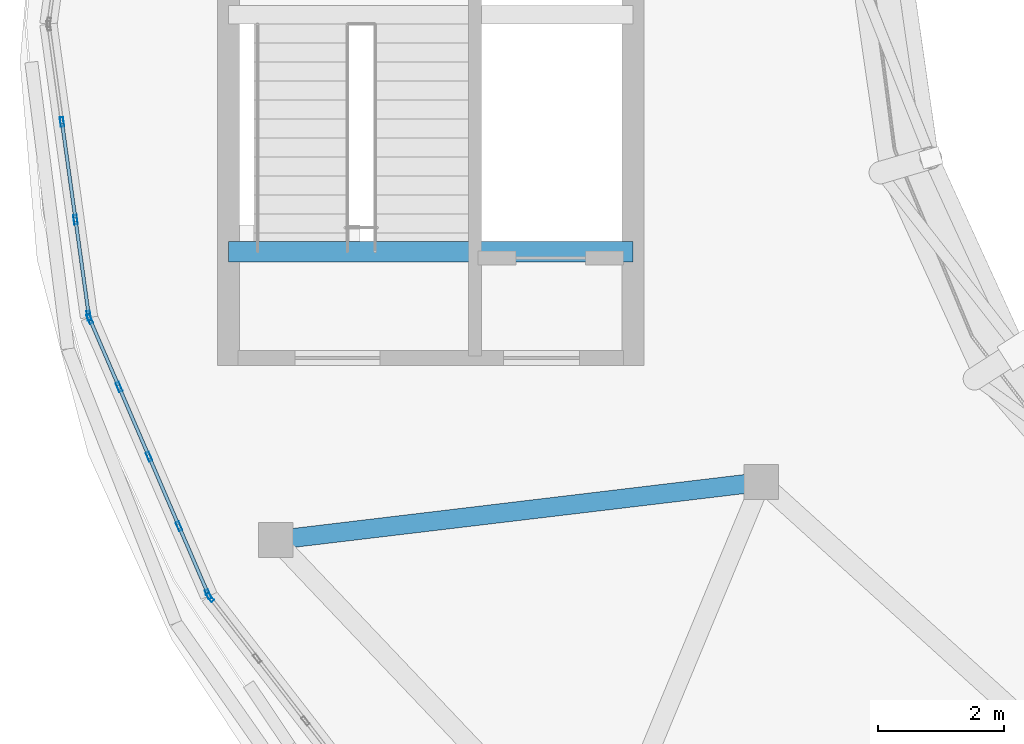
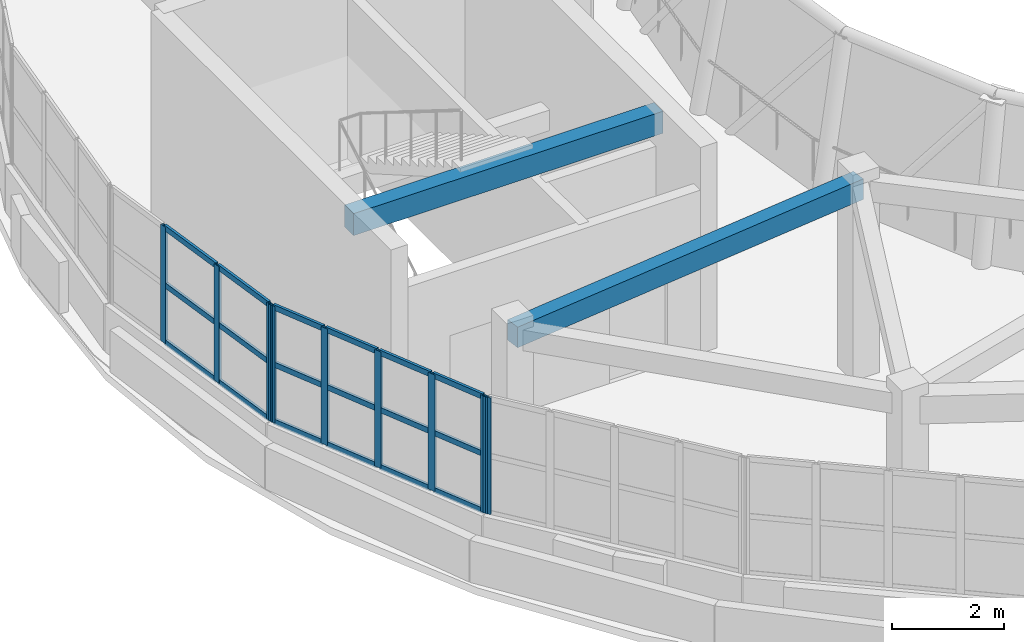
# One storey, part 6 of 46: 27 members, 2 beams, 3 elements without a shape of their own.
"""IFC4 building model written with IfcOpenShell, lengths in metres."""

from ifc_helpers import new_model, si_unit, direction, frame, origin, origin_2d, place, context, subcontext, project, spatial, rectangle, hollow_rectangle, extrude, material, layer, layer_set, material_profile, profile_set, type_object, element, aggregate, save


model = new_model("IFC4")

# Units and contexts
model_context = context("Model", 3, precision=1e-05, world=origin(), true_north=direction((0.0, 1.0)))
body_context = subcontext(model_context, "Body", "Model", "MODEL_VIEW")
ifc_project = project(units=[si_unit("LENGTHUNIT", "METRE"), si_unit("AREAUNIT", "SQUARE_METRE"), si_unit("VOLUMEUNIT", "CUBIC_METRE"), si_unit("PLANEANGLEUNIT", "RADIAN"), si_unit("MASSUNIT", "GRAM", prefix="KILO")], contexts=[model_context])

# Site, building, storey
site_placement = place(None, origin())
site = spatial("IfcSite", under=ifc_project, at=site_placement, CompositionType="ELEMENT")
building_placement = place(site_placement, origin())
building = spatial("IfcBuilding", under=site, at=building_placement, Name="Pelvatis Terrace Science Centre", CompositionType="ELEMENT")
storey_placement = place(building_placement, frame((0.0, 0.0, 19.800048828125)))
storey = spatial("IfcBuildingStorey", under=building, at=storey_placement, Name="L04", CompositionType="ELEMENT", Elevation=19.800048828125)

# Beams
ifc_material_1 = material(Name="Concrete C35/45", Category="concrete")
ifc_material_profile_1 = material_profile(ifc_material_1, rectangle(XDim=0.300048828125, YDim=0.449951171875, at=origin_2d()), Name="RC-BM 300x450")
ifc_profile_set_1 = profile_set([ifc_material_profile_1], Name="Concrete C35/45")
beam_type_1 = type_object("IfcBeamType", Name="BM-RC-300x450", PredefinedType="BEAM", material=ifc_profile_set_1)
beam_1_placement = place(storey_placement, frame((87.548583984375, 76.43798828125, 4.02490234375), z_axis=(0.992948179186, 0.118549202657, 0.0), x_axis=(-0.118549202657, 0.992948179186, 0.0)))
element("IfcBeam", 1, at=beam_1_placement, inside=storey, type_object=beam_type_1, Name="Beam BM-L04-3090", PredefinedType="BEAM", context=body_context, shape_type="SweptSolid", body=[
    extrude(rectangle(XDim=0.300048828125, YDim=0.449951171875, at=origin_2d()), origin(), (0.0, 0.0, 1.0), 7.737060546875),
])
ifc_material_2 = material(Name="Concrete C35/45", Category="concrete")
ifc_material_profile_2 = material_profile(ifc_material_2, rectangle(XDim=0.320068359375, YDim=0.47998046875, at=origin_2d()), Name="RC-BM 320x480")
ifc_profile_set_2 = profile_set([ifc_material_profile_2], Name="Concrete C35/45")
beam_type_2 = type_object("IfcBeamType", Name="BM-RC-320x480", PredefinedType="BEAM", material=ifc_profile_set_2)
beam_2_placement = place(storey_placement, frame((86.800048828125, 81.0, 4.0), z_axis=(1.0, 0.0, 0.0), x_axis=(0.0, 1.0, 0.0)))
element("IfcBeam", 2, at=beam_2_placement, inside=storey, type_object=beam_type_2, Name="Core C1 stair header beam (L04)", PredefinedType="BEAM", context=body_context, shape_type="SweptSolid", body=[
    extrude(rectangle(XDim=0.320068359375, YDim=0.47998046875, at=origin_2d()), origin(), (0.0, 0.0, 1.0), 6.39990234375),
])

# Curtain wall, members
ifc_material_3 = material(Name="Bronze-anodised aluminium and laminated glass", Category="aluminium")
ifc_layer = layer(ifc_material_3, 0.14990234375)
ifc_layer_set = layer_set([ifc_layer], Name="Bronze-anodised aluminium and laminated glass")
curtain_wall_type = type_object("IfcCurtainWallType", Name="CW-PASSAGE-C", PredefinedType="NOTDEFINED", material=ifc_layer_set)
curtain_wall_1_placement = place(storey_placement, origin())
curtain_wall_1 = element("IfcCurtainWall", 3, at=curtain_wall_1_placement, inside=storey, type_object=curtain_wall_type, Name="Ribbon curtain wall CW-225 (L04)", PredefinedType="NOTDEFINED")
ifc_material_4 = material(Name="Bronze-anodised aluminium 6063-T6", Category="aluminium")
ifc_material_profile_3 = material_profile(ifc_material_4, hollow_rectangle(XDim=0.054931640625, YDim=0.14990234375, WallThickness=0.00390625, at=origin_2d()), Name="ALU-MUL 55x150")
ifc_profile_set_3 = profile_set([ifc_material_profile_3], Name="Bronze-anodised aluminium 6063-T6")
member_type_1 = type_object("IfcMemberType", Name="CWM-55x150", PredefinedType="MULLION", material=ifc_profile_set_3)
member_1_placement = place(storey_placement, frame((84.164306640625, 83.053466796875, 1.02001953125), z_axis=(0.0, 0.0, 1.0), x_axis=(0.990529731284, 0.137298402914, 0.0)))
member_1 = element("IfcMember", 4, at=member_1_placement, type_object=member_type_1, Name="CW-225 mullion 2", PredefinedType="MULLION", context=body_context, shape_type="SweptSolid", body=[
    extrude(hollow_rectangle(XDim=0.054931640625, YDim=0.14990234375, WallThickness=0.00390625, at=origin_2d()), origin(), (0.0, 0.0, 1.0), 2.550048828125),
])
member_2_placement = place(storey_placement, frame((84.378662109375, 81.5068359375, 1.02001953125), z_axis=(0.0, 0.0, 1.0), x_axis=(0.990529731284, 0.137298402914, 0.0)))
member_2 = element("IfcMember", 5, at=member_2_placement, type_object=member_type_1, Name="CW-225 mullion 3", PredefinedType="MULLION", context=body_context, shape_type="SweptSolid", body=[
    extrude(hollow_rectangle(XDim=0.054931640625, YDim=0.14990234375, WallThickness=0.00390625, at=origin_2d()), origin(), (0.0, 0.0, 1.0), 2.550048828125),
])
member_3_placement = place(storey_placement, frame((84.58935546875, 79.987548828125, 1.02001953125), z_axis=(0.0, 0.0, 1.0), x_axis=(0.990529731284, 0.137298402914, 0.0)))
member_3 = element("IfcMember", 6, at=member_3_placement, type_object=member_type_1, Name="CW-225 mullion 4", PredefinedType="MULLION", context=body_context, shape_type="SweptSolid", body=[
    extrude(hollow_rectangle(XDim=0.054931640625, YDim=0.14990234375, WallThickness=0.00390625, at=origin_2d()), origin(), (0.0, 0.0, 1.0), 2.550048828125),
])

curtain_wall_2_placement = place(storey_placement, origin())
curtain_wall_2 = element("IfcCurtainWall", 7, at=curtain_wall_2_placement, inside=storey, type_object=curtain_wall_type, Name="Ribbon curtain wall CW-226 (L04)", PredefinedType="NOTDEFINED")
member_4_placement = place(storey_placement, frame((84.60400390625, 79.93505859375, 1.02001953125), z_axis=(0.0, 0.0, 1.0), x_axis=(0.918515345943, 0.395385330111, 0.0)))
member_4 = element("IfcMember", 8, at=member_4_placement, type_object=member_type_1, Name="CW-226 mullion 1", PredefinedType="MULLION", context=body_context, shape_type="SweptSolid", body=[
    extrude(hollow_rectangle(XDim=0.054931640625, YDim=0.14990234375, WallThickness=0.00390625, at=origin_2d()), origin(), (0.0, 0.0, 1.0), 2.550048828125),
])
member_5_placement = place(storey_placement, frame((85.0673828125, 78.858642578125, 1.02001953125), z_axis=(0.0, 0.0, 1.0), x_axis=(0.918515345943, 0.395385330111, 0.0)))
member_5 = element("IfcMember", 9, at=member_5_placement, type_object=member_type_1, Name="CW-226 mullion 2", PredefinedType="MULLION", context=body_context, shape_type="SweptSolid", body=[
    extrude(hollow_rectangle(XDim=0.054931640625, YDim=0.14990234375, WallThickness=0.00390625, at=origin_2d()), origin(), (0.0, 0.0, 1.0), 2.550048828125),
])
member_6_placement = place(storey_placement, frame((85.54150390625, 77.7568359375, 1.02001953125), z_axis=(0.0, 0.0, 1.0), x_axis=(0.918515345943, 0.395385330111, 0.0)))
member_6 = element("IfcMember", 10, at=member_6_placement, type_object=member_type_1, Name="CW-226 mullion 3", PredefinedType="MULLION", context=body_context, shape_type="SweptSolid", body=[
    extrude(hollow_rectangle(XDim=0.054931640625, YDim=0.14990234375, WallThickness=0.00390625, at=origin_2d()), origin(), (0.0, 0.0, 1.0), 2.550048828125),
])
member_7_placement = place(storey_placement, frame((86.015869140625, 76.6552734375, 1.02001953125), z_axis=(0.0, 0.0, 1.0), x_axis=(0.918515345943, 0.395385330111, 0.0)))
member_7 = element("IfcMember", 11, at=member_7_placement, type_object=member_type_1, Name="CW-226 mullion 4", PredefinedType="MULLION", context=body_context, shape_type="SweptSolid", body=[
    extrude(hollow_rectangle(XDim=0.054931640625, YDim=0.14990234375, WallThickness=0.00390625, at=origin_2d()), origin(), (0.0, 0.0, 1.0), 2.550048828125),
])
member_8_placement = place(storey_placement, frame((86.479248046875, 75.578857421875, 1.02001953125), z_axis=(0.0, 0.0, 1.0), x_axis=(0.918515345943, 0.395385330111, 0.0)))
member_8 = element("IfcMember", 12, at=member_8_placement, type_object=member_type_1, Name="CW-226 mullion 5", PredefinedType="MULLION", context=body_context, shape_type="SweptSolid", body=[
    extrude(hollow_rectangle(XDim=0.054931640625, YDim=0.14990234375, WallThickness=0.00390625, at=origin_2d()), origin(), (0.0, 0.0, 1.0), 2.550048828125),
])

# Curtain wall, member
curtain_wall_3_placement = place(storey_placement, origin())
curtain_wall_3 = element("IfcCurtainWall", 13, at=curtain_wall_3_placement, inside=storey, type_object=curtain_wall_type, Name="Ribbon curtain wall CW-227 (L04)", PredefinedType="NOTDEFINED")
member_9_placement = place(storey_placement, frame((86.5068359375, 75.53173828125, 1.02001953125), z_axis=(0.0, 0.0, 1.0), x_axis=(0.791180678019, 0.611582483994, 0.0)))
member_9 = element("IfcMember", 14, at=member_9_placement, type_object=member_type_1, Name="CW-227 mullion 1", PredefinedType="MULLION", context=body_context, shape_type="SweptSolid", body=[
    extrude(hollow_rectangle(XDim=0.054931640625, YDim=0.14990234375, WallThickness=0.00390625, at=origin_2d()), origin(), (0.0, 0.0, 1.0), 2.550048828125),
])
aggregate(curtain_wall_3, [member_9])

# Member
ifc_material_5 = material(Name="Bronze-anodised aluminium 6063-T6", Category="aluminium")
ifc_material_profile_4 = material_profile(ifc_material_5, hollow_rectangle(XDim=0.054931640625, YDim=0.1201171875, WallThickness=0.00341796875, at=origin_2d()), Name="ALU-TRN 55x120")
ifc_profile_set_4 = profile_set([ifc_material_profile_4], Name="Bronze-anodised aluminium 6063-T6")
member_type_2 = type_object("IfcMemberType", Name="CWT-55x120", PredefinedType="USERDEFINED", material=ifc_profile_set_4)
member_10_placement = place(storey_placement, frame((84.168212890625, 83.026123046875, 1.04736328125), z_axis=(0.13729007689, -0.990530885327, 0.0), x_axis=(0.990530885327, 0.13729007689, 0.0)))
member_10 = element("IfcMember", 15, at=member_10_placement, type_object=member_type_2, Name="CW-225 transom 2.1", ObjectType="TRANSOM", PredefinedType="USERDEFINED", context=body_context, shape_type="SweptSolid", body=[
    extrude(hollow_rectangle(XDim=0.054931640625, YDim=0.1201171875, WallThickness=0.00341796875, at=origin_2d()), origin(), (0.0, 0.0, 1.0), 1.506103515625),
])

member_11_placement = place(storey_placement, frame((84.168212890625, 83.026123046875, 2.294921875), z_axis=(0.13729007689, -0.990530885327, 0.0), x_axis=(0.990530885327, 0.13729007689, 0.0)))
member_11 = element("IfcMember", 16, at=member_11_placement, type_object=member_type_2, Name="CW-225 transom 2.2", ObjectType="TRANSOM", PredefinedType="USERDEFINED", context=body_context, shape_type="SweptSolid", body=[
    extrude(hollow_rectangle(XDim=0.054931640625, YDim=0.1201171875, WallThickness=0.00341796875, at=origin_2d()), origin(), (0.0, 0.0, 1.0), 1.506103515625),
])

member_12_placement = place(storey_placement, frame((84.168212890625, 83.026123046875, 3.54248046875), z_axis=(0.13729007689, -0.990530885327, 0.0), x_axis=(0.990530885327, 0.13729007689, 0.0)))
member_12 = element("IfcMember", 17, at=member_12_placement, type_object=member_type_2, Name="CW-225 transom 2.3", ObjectType="TRANSOM", PredefinedType="USERDEFINED", context=body_context, shape_type="SweptSolid", body=[
    extrude(hollow_rectangle(XDim=0.054931640625, YDim=0.1201171875, WallThickness=0.00341796875, at=origin_2d()), origin(), (0.0, 0.0, 1.0), 1.506103515625),
])

member_13_placement = place(storey_placement, frame((84.382568359375, 81.479736328125, 1.04736328125), z_axis=(0.137190439593, -0.9905446902, 0.0), x_axis=(0.9905446902, 0.137190439593, 0.0)))
member_13 = element("IfcMember", 18, at=member_13_placement, type_object=member_type_2, Name="CW-225 transom 3.1", ObjectType="TRANSOM", PredefinedType="USERDEFINED", context=body_context, shape_type="SweptSolid", body=[
    extrude(hollow_rectangle(XDim=0.054931640625, YDim=0.1201171875, WallThickness=0.00341796875, at=origin_2d()), origin(), (0.0, 0.0, 1.0), 1.478759765625),
])

member_14_placement = place(storey_placement, frame((84.382568359375, 81.479736328125, 2.294921875), z_axis=(0.137190439593, -0.9905446902, 0.0), x_axis=(0.9905446902, 0.137190439593, 0.0)))
member_14 = element("IfcMember", 19, at=member_14_placement, type_object=member_type_2, Name="CW-225 transom 3.2", ObjectType="TRANSOM", PredefinedType="USERDEFINED", context=body_context, shape_type="SweptSolid", body=[
    extrude(hollow_rectangle(XDim=0.054931640625, YDim=0.1201171875, WallThickness=0.00341796875, at=origin_2d()), origin(), (0.0, 0.0, 1.0), 1.478759765625),
])

member_15_placement = place(storey_placement, frame((84.382568359375, 81.479736328125, 3.54248046875), z_axis=(0.137190439593, -0.9905446902, 0.0), x_axis=(0.9905446902, 0.137190439593, 0.0)))
member_15 = element("IfcMember", 20, at=member_15_placement, type_object=member_type_2, Name="CW-225 transom 3.3", ObjectType="TRANSOM", PredefinedType="USERDEFINED", context=body_context, shape_type="SweptSolid", body=[
    extrude(hollow_rectangle(XDim=0.054931640625, YDim=0.1201171875, WallThickness=0.00341796875, at=origin_2d()), origin(), (0.0, 0.0, 1.0), 1.478759765625),
])

aggregate(curtain_wall_1, [member_1, member_2, member_3, member_10, member_11, member_12, member_13, member_14, member_15])

member_16_placement = place(storey_placement, frame((84.61474609375, 79.909912109375, 1.04736328125), z_axis=(0.395422493944, -0.918499347459, 0.0), x_axis=(0.918499347459, 0.395422493944, 0.0)))
member_16 = element("IfcMember", 21, at=member_16_placement, type_object=member_type_2, Name="CW-226 transom 1.1", ObjectType="TRANSOM", PredefinedType="USERDEFINED", context=body_context, shape_type="SweptSolid", body=[
    extrude(hollow_rectangle(XDim=0.054931640625, YDim=0.1201171875, WallThickness=0.00341796875, at=origin_2d()), origin(), (0.0, 0.0, 1.0), 1.116943359375),
])

member_17_placement = place(storey_placement, frame((84.61474609375, 79.909912109375, 2.294921875), z_axis=(0.395422493944, -0.918499347459, 0.0), x_axis=(0.918499347459, 0.395422493944, 0.0)))
member_17 = element("IfcMember", 22, at=member_17_placement, type_object=member_type_2, Name="CW-226 transom 1.2", ObjectType="TRANSOM", PredefinedType="USERDEFINED", context=body_context, shape_type="SweptSolid", body=[
    extrude(hollow_rectangle(XDim=0.054931640625, YDim=0.1201171875, WallThickness=0.00341796875, at=origin_2d()), origin(), (0.0, 0.0, 1.0), 1.116943359375),
])

member_18_placement = place(storey_placement, frame((84.61474609375, 79.909912109375, 3.54248046875), z_axis=(0.395422493944, -0.918499347459, 0.0), x_axis=(0.918499347459, 0.395422493944, 0.0)))
member_18 = element("IfcMember", 23, at=member_18_placement, type_object=member_type_2, Name="CW-226 transom 1.3", ObjectType="TRANSOM", PredefinedType="USERDEFINED", context=body_context, shape_type="SweptSolid", body=[
    extrude(hollow_rectangle(XDim=0.054931640625, YDim=0.1201171875, WallThickness=0.00341796875, at=origin_2d()), origin(), (0.0, 0.0, 1.0), 1.116943359375),
])

member_19_placement = place(storey_placement, frame((85.078125, 78.83349609375, 1.04736328125), z_axis=(0.395463348678, -0.91848175804, 0.0), x_axis=(0.91848175804, 0.395463348678, 0.0)))
member_19 = element("IfcMember", 24, at=member_19_placement, type_object=member_type_2, Name="CW-226 transom 2.1", ObjectType="TRANSOM", PredefinedType="USERDEFINED", context=body_context, shape_type="SweptSolid", body=[
    extrude(hollow_rectangle(XDim=0.054931640625, YDim=0.1201171875, WallThickness=0.00341796875, at=origin_2d()), origin(), (0.0, 0.0, 1.0), 1.14453125),
])

member_20_placement = place(storey_placement, frame((85.078125, 78.83349609375, 2.294921875), z_axis=(0.395463348678, -0.91848175804, 0.0), x_axis=(0.91848175804, 0.395463348678, 0.0)))
member_20 = element("IfcMember", 25, at=member_20_placement, type_object=member_type_2, Name="CW-226 transom 2.2", ObjectType="TRANSOM", PredefinedType="USERDEFINED", context=body_context, shape_type="SweptSolid", body=[
    extrude(hollow_rectangle(XDim=0.054931640625, YDim=0.1201171875, WallThickness=0.00341796875, at=origin_2d()), origin(), (0.0, 0.0, 1.0), 1.14453125),
])

member_21_placement = place(storey_placement, frame((85.078125, 78.83349609375, 3.54248046875), z_axis=(0.395463348678, -0.91848175804, 0.0), x_axis=(0.91848175804, 0.395463348678, 0.0)))
member_21 = element("IfcMember", 26, at=member_21_placement, type_object=member_type_2, Name="CW-226 transom 2.3", ObjectType="TRANSOM", PredefinedType="USERDEFINED", context=body_context, shape_type="SweptSolid", body=[
    extrude(hollow_rectangle(XDim=0.054931640625, YDim=0.1201171875, WallThickness=0.00341796875, at=origin_2d()), origin(), (0.0, 0.0, 1.0), 1.14453125),
])

member_22_placement = place(storey_placement, frame((85.552490234375, 77.731689453125, 1.04736328125), z_axis=(0.395283381823, -0.918559224032, 0.0), x_axis=(0.918559224032, 0.395283381823, 0.0)))
member_22 = element("IfcMember", 27, at=member_22_placement, type_object=member_type_2, Name="CW-226 transom 3.1", ObjectType="TRANSOM", PredefinedType="USERDEFINED", context=body_context, shape_type="SweptSolid", body=[
    extrude(hollow_rectangle(XDim=0.054931640625, YDim=0.1201171875, WallThickness=0.00341796875, at=origin_2d()), origin(), (0.0, 0.0, 1.0), 1.14453125),
])

member_23_placement = place(storey_placement, frame((85.552490234375, 77.731689453125, 2.294921875), z_axis=(0.395283381823, -0.918559224032, 0.0), x_axis=(0.918559224032, 0.395283381823, 0.0)))
member_23 = element("IfcMember", 28, at=member_23_placement, type_object=member_type_2, Name="CW-226 transom 3.2", ObjectType="TRANSOM", PredefinedType="USERDEFINED", context=body_context, shape_type="SweptSolid", body=[
    extrude(hollow_rectangle(XDim=0.054931640625, YDim=0.1201171875, WallThickness=0.00341796875, at=origin_2d()), origin(), (0.0, 0.0, 1.0), 1.14453125),
])

member_24_placement = place(storey_placement, frame((85.552490234375, 77.731689453125, 3.54248046875), z_axis=(0.395283381823, -0.918559224032, 0.0), x_axis=(0.918559224032, 0.395283381823, 0.0)))
member_24 = element("IfcMember", 29, at=member_24_placement, type_object=member_type_2, Name="CW-226 transom 3.3", ObjectType="TRANSOM", PredefinedType="USERDEFINED", context=body_context, shape_type="SweptSolid", body=[
    extrude(hollow_rectangle(XDim=0.054931640625, YDim=0.1201171875, WallThickness=0.00341796875, at=origin_2d()), origin(), (0.0, 0.0, 1.0), 1.14453125),
])

member_25_placement = place(storey_placement, frame((86.026611328125, 76.6298828125, 1.04736328125), z_axis=(0.395422493944, -0.918499347459, 0.0), x_axis=(0.918499347459, 0.395422493944, 0.0)))
member_25 = element("IfcMember", 30, at=member_25_placement, type_object=member_type_2, Name="CW-226 transom 4.1", ObjectType="TRANSOM", PredefinedType="USERDEFINED", context=body_context, shape_type="SweptSolid", body=[
    extrude(hollow_rectangle(XDim=0.054931640625, YDim=0.1201171875, WallThickness=0.00341796875, at=origin_2d()), origin(), (0.0, 0.0, 1.0), 1.116943359375),
])

member_26_placement = place(storey_placement, frame((86.026611328125, 76.6298828125, 2.294921875), z_axis=(0.395422493944, -0.918499347459, 0.0), x_axis=(0.918499347459, 0.395422493944, 0.0)))
member_26 = element("IfcMember", 31, at=member_26_placement, type_object=member_type_2, Name="CW-226 transom 4.2", ObjectType="TRANSOM", PredefinedType="USERDEFINED", context=body_context, shape_type="SweptSolid", body=[
    extrude(hollow_rectangle(XDim=0.054931640625, YDim=0.1201171875, WallThickness=0.00341796875, at=origin_2d()), origin(), (0.0, 0.0, 1.0), 1.116943359375),
])

member_27_placement = place(storey_placement, frame((86.026611328125, 76.6298828125, 3.54248046875), z_axis=(0.395422493944, -0.918499347459, 0.0), x_axis=(0.918499347459, 0.395422493944, 0.0)))
member_27 = element("IfcMember", 32, at=member_27_placement, type_object=member_type_2, Name="CW-226 transom 4.3", ObjectType="TRANSOM", PredefinedType="USERDEFINED", context=body_context, shape_type="SweptSolid", body=[
    extrude(hollow_rectangle(XDim=0.054931640625, YDim=0.1201171875, WallThickness=0.00341796875, at=origin_2d()), origin(), (0.0, 0.0, 1.0), 1.116943359375),
])

aggregate(curtain_wall_2, [member_4, member_5, member_6, member_7, member_8, member_16, member_17, member_18, member_19, member_20, member_21, member_22, member_23, member_24, member_25, member_26, member_27])

save(model, "model.ifc")
